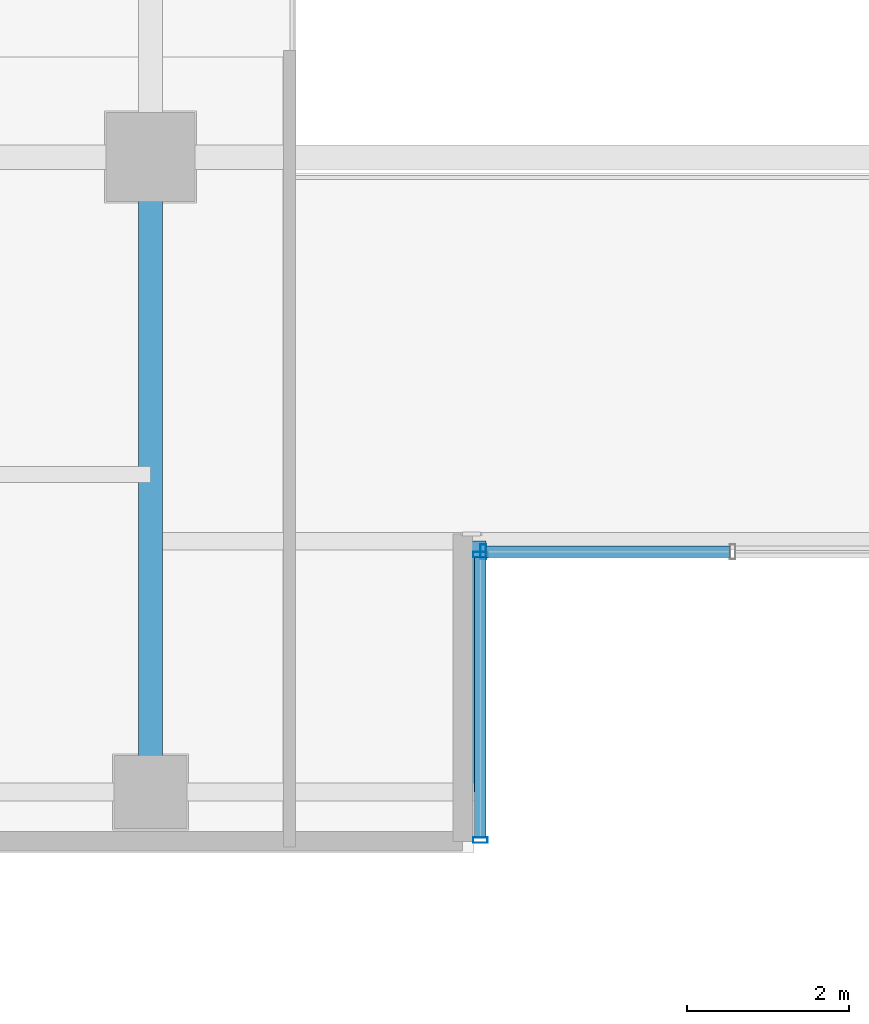
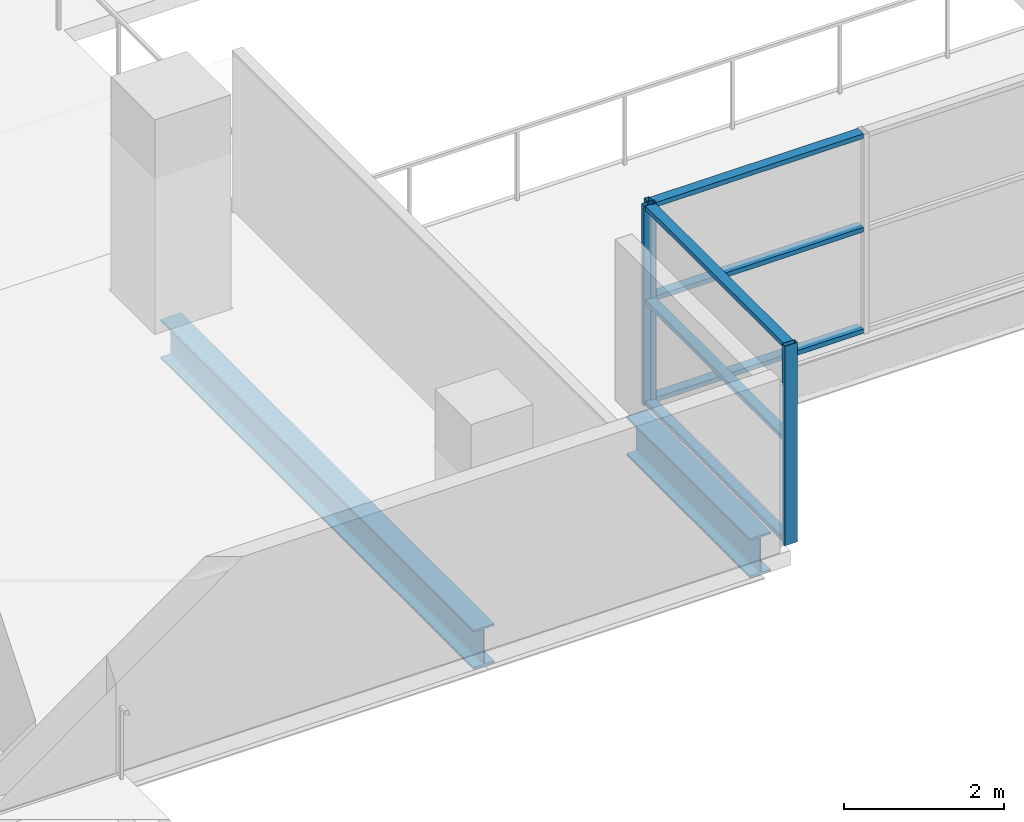
# One storey, part 6 of 30: 9 members, 2 beams, 2 elements without a shape of their own.
"""IFC4 building model written with IfcOpenShell, lengths in metres."""

from ifc_helpers import new_model, si_unit, direction, frame, origin, origin_2d, place, context, subcontext, project, spatial, hollow_rectangle, i_section, extrude, source, transform, mapped, material, layer, layer_set, material_profile, profile_set, type_object, element, aggregate, save


model = new_model("IFC4")

# Units and contexts
model_context = context("Model", 3, precision=1e-05, world=origin(), true_north=direction((0.0, 1.0)))
body_context = subcontext(model_context, "Body", "Model", "MODEL_VIEW")
ifc_project = project(units=[si_unit("LENGTHUNIT", "METRE"), si_unit("AREAUNIT", "SQUARE_METRE"), si_unit("VOLUMEUNIT", "CUBIC_METRE"), si_unit("PLANEANGLEUNIT", "RADIAN"), si_unit("MASSUNIT", "GRAM", prefix="KILO")], contexts=[model_context])

# Site, building, storey
site_placement = place(None, origin())
site = spatial("IfcSite", under=ifc_project, at=site_placement, CompositionType="ELEMENT")
building_placement = place(site_placement, origin())
building = spatial("IfcBuilding", under=site, at=building_placement, Name="Zarnakvel Exchange Tower", CompositionType="ELEMENT")
storey_placement = place(building_placement, frame((0.0, 0.0, 50.5)))
storey = spatial("IfcBuildingStorey", under=building, at=storey_placement, Name="L13", CompositionType="ELEMENT", Elevation=50.5)

# Beams
ifc_material_1 = material(Name="Steel S355", Category="steel")
ifc_material_profile_1 = material_profile(ifc_material_1, i_section(OverallWidth=0.300048828125, OverallDepth=0.60009765625, WebThickness=0.015380859375, FlangeThickness=0.030029296875, FilletRadius=0.027099609375, at=origin_2d()))
ifc_profile_set_1 = profile_set([ifc_material_profile_1], Name="Steel S355")
beam_type = type_object("IfcBeamType", Name="G-04", PredefinedType="BEAM", material=ifc_profile_set_1)
beam_1_placement = place(storey_placement, frame((-3.199951171875, -17.449951171875, -0.52490234375), z_axis=(0.0, 1.0, 0.0), x_axis=(-1.0, 0.0, 0.0)))
element("IfcBeam", 1, at=beam_1_placement, inside=storey, type_object=beam_type, Name="L13 South Slot West Cheek Beam", PredefinedType="BEAM", context=body_context, shape_type="SweptSolid", body=[
    extrude(i_section(OverallWidth=0.300048828125, OverallDepth=0.60009765625, WebThickness=0.015380859375, FlangeThickness=0.030029296875, FilletRadius=0.027099609375, at=origin_2d()), origin(), (0.0, 0.0, 1.0), 3.099853515625),
])
beam_2_placement = place(storey_placement, frame((-7.199951171875, -17.449951171875, -0.52490234375), z_axis=(0.0, 1.0, 0.0), x_axis=(-1.0, 0.0, 0.0)))
element("IfcBeam", 2, at=beam_2_placement, inside=storey, type_object=beam_type, Name="L13 Tower N-S Frame Beam", PredefinedType="BEAM", context=body_context, shape_type="SweptSolid", body=[
    extrude(i_section(OverallWidth=0.300048828125, OverallDepth=0.60009765625, WebThickness=0.015380859375, FlangeThickness=0.030029296875, FilletRadius=0.027099609375, at=origin_2d()), origin(), (0.0, 0.0, 1.0), 7.849853515625),
])

# Curtain wall, members
ifc_material_2 = material(Name="Architectural Bronze Anodised Aluminium", Category="aluminium")
ifc_layer = layer(ifc_material_2, 0.179931640625)
ifc_layer_set = layer_set([ifc_layer], Name="Architectural Bronze Anodised Aluminium")
curtain_wall_type = type_object("IfcCurtainWallType", Name="CW-05", PredefinedType="NOTDEFINED", material=ifc_layer_set)
curtain_wall_1_placement = place(storey_placement, origin())
curtain_wall_1 = element("IfcCurtainWall", 3, at=curtain_wall_1_placement, inside=storey, type_object=curtain_wall_type, Name="L13 Curtain Wall CW-L13-SLW (CW-05)", PredefinedType="NOTDEFINED")
ifc_material_profile_2 = material_profile(ifc_material_2, hollow_rectangle(XDim=0.139892578125, YDim=0.070068359375, WallThickness=0.00390625, at=origin_2d()))
ifc_profile_set_2 = profile_set([ifc_material_profile_2], Name="Architectural Bronze Anodised Aluminium")
member_type_1 = type_object("IfcMemberType", Name="CWT-05", PredefinedType="USERDEFINED", material=ifc_profile_set_2)
shared_shape_1 = source(origin(), body_context, "Body", "SweptSolid", [
    extrude(hollow_rectangle(XDim=0.139892578125, YDim=0.070068359375, WallThickness=0.00390625, at=origin_2d()), origin(), (0.0, 0.0, 1.0), 3.4599609375),
])
member_1_placement = place(storey_placement, frame((-3.1201171875, -18.010009765625, 0.034912109375), z_axis=(0.0, 1.0, 0.0), x_axis=(-1.0, 0.0, 0.0)))
member_1 = element("IfcMember", 4, at=member_1_placement, type_object=member_type_1, Name="CW-05 transom 1.1", ObjectType="TRANSOM", PredefinedType="USERDEFINED", context=body_context, shape_type="MappedRepresentation", body=[
    mapped(shared_shape_1, transform((0.0, 0.0, 0.0), x_axis=(1.0, 0.0, 0.0), y_axis=(0.0, 1.0, 0.0), z_axis=(0.0, 0.0, 1.0), scale=1.0)),
])
member_2_placement = place(storey_placement, frame((-3.1201171875, -18.010009765625, 1.588623046875), z_axis=(0.0, 1.0, 0.0), x_axis=(-1.0, 0.0, 0.0)))
member_2 = element("IfcMember", 5, at=member_2_placement, type_object=member_type_1, Name="CW-05 transom 1.2", ObjectType="TRANSOM", PredefinedType="USERDEFINED", context=body_context, shape_type="MappedRepresentation", body=[
    mapped(shared_shape_1, transform((0.0, 0.0, 0.0), x_axis=(1.0, 0.0, 0.0), y_axis=(0.0, 1.0, 0.0), z_axis=(0.0, 0.0, 1.0), scale=1.0)),
])
member_3_placement = place(storey_placement, frame((-3.1201171875, -18.010009765625, 3.02001953125), z_axis=(0.0, 1.0, 0.0), x_axis=(-1.0, 0.0, 0.0)))
member_3 = element("IfcMember", 6, at=member_3_placement, type_object=member_type_1, Name="CW-05 transom 1.3", ObjectType="TRANSOM", PredefinedType="USERDEFINED", context=body_context, shape_type="MappedRepresentation", body=[
    mapped(shared_shape_1, transform((0.0, 0.0, 0.0), x_axis=(1.0, 0.0, 0.0), y_axis=(0.0, 1.0, 0.0), z_axis=(0.0, 0.0, 1.0), scale=1.0)),
])

curtain_wall_2_placement = place(storey_placement, origin())
curtain_wall_2 = element("IfcCurtainWall", 7, at=curtain_wall_2_placement, inside=storey, type_object=curtain_wall_type, Name="L13 Curtain Wall CW-L13-SLB (CW-05)", PredefinedType="NOTDEFINED")
shared_shape_2 = source(origin(), body_context, "Body", "SweptSolid", [
    extrude(hollow_rectangle(XDim=0.139892578125, YDim=0.070068359375, WallThickness=0.00390625, at=origin_2d()), origin(), (0.0, 0.0, 1.0), 3.01513671875),
])
member_4_placement = place(storey_placement, frame((-3.050048828125, -14.47998046875, 0.034912109375), z_axis=(1.0, 0.0, 0.0), x_axis=(0.0, 1.0, 0.0)))
member_4 = element("IfcMember", 8, at=member_4_placement, type_object=member_type_1, Name="CW-05 transom 1.1", ObjectType="TRANSOM", PredefinedType="USERDEFINED", context=body_context, shape_type="MappedRepresentation", body=[
    mapped(shared_shape_2, transform((0.0, 0.0, 0.0), x_axis=(1.0, 0.0, 0.0), y_axis=(0.0, 1.0, 0.0), z_axis=(0.0, 0.0, 1.0), scale=1.0)),
])
member_5_placement = place(storey_placement, frame((-3.050048828125, -14.47998046875, 1.588623046875), z_axis=(1.0, 0.0, 0.0), x_axis=(0.0, 1.0, 0.0)))
member_5 = element("IfcMember", 9, at=member_5_placement, type_object=member_type_1, Name="CW-05 transom 1.2", ObjectType="TRANSOM", PredefinedType="USERDEFINED", context=body_context, shape_type="MappedRepresentation", body=[
    mapped(shared_shape_2, transform((0.0, 0.0, 0.0), x_axis=(1.0, 0.0, 0.0), y_axis=(0.0, 1.0, 0.0), z_axis=(0.0, 0.0, 1.0), scale=1.0)),
])
member_6_placement = place(storey_placement, frame((-3.050048828125, -14.47998046875, 3.02001953125), z_axis=(1.0, 0.0, 0.0), x_axis=(0.0, 1.0, 0.0)))
member_6 = element("IfcMember", 10, at=member_6_placement, type_object=member_type_1, Name="CW-05 transom 1.3", ObjectType="TRANSOM", PredefinedType="USERDEFINED", context=body_context, shape_type="MappedRepresentation", body=[
    mapped(shared_shape_2, transform((0.0, 0.0, 0.0), x_axis=(1.0, 0.0, 0.0), y_axis=(0.0, 1.0, 0.0), z_axis=(0.0, 0.0, 1.0), scale=1.0)),
])

# Member
ifc_material_profile_3 = material_profile(ifc_material_2, hollow_rectangle(XDim=0.179931640625, YDim=0.070068359375, WallThickness=0.00390625, at=origin_2d()))
ifc_profile_set_3 = profile_set([ifc_material_profile_3], Name="Architectural Bronze Anodised Aluminium")
member_type_2 = type_object("IfcMemberType", Name="CWM-05", PredefinedType="MULLION", material=ifc_profile_set_3)
shared_shape_3 = source(origin(), body_context, "Body", "SweptSolid", [
    extrude(hollow_rectangle(XDim=0.179931640625, YDim=0.070068359375, WallThickness=0.00390625, at=origin_2d()), origin(), (0.0, 0.0, 1.0), 3.054931640625),
])
member_7_placement = place(storey_placement, frame((-3.1201171875, -18.044921875, 0.0), z_axis=(0.0, 0.0, 1.0), x_axis=(-1.0, 0.0, 0.0)))
member_7 = element("IfcMember", 11, at=member_7_placement, type_object=member_type_2, Name="CW-05 mullion 1", PredefinedType="MULLION", context=body_context, shape_type="MappedRepresentation", body=[
    mapped(shared_shape_3, transform((0.0, 0.0, 0.0), x_axis=(1.0, 0.0, 0.0), y_axis=(0.0, 1.0, 0.0), z_axis=(0.0, 0.0, 1.0), scale=1.0)),
])

member_8_placement = place(storey_placement, frame((-3.1201171875, -14.514892578125, 0.0), z_axis=(0.0, 0.0, 1.0), x_axis=(-1.0, 0.0, 0.0)))
member_8 = element("IfcMember", 12, at=member_8_placement, type_object=member_type_2, Name="CW-05 mullion 2", PredefinedType="MULLION", context=body_context, shape_type="MappedRepresentation", body=[
    mapped(shared_shape_3, transform((0.0, 0.0, 0.0), x_axis=(1.0, 0.0, 0.0), y_axis=(0.0, 1.0, 0.0), z_axis=(0.0, 0.0, 1.0), scale=1.0)),
])

aggregate(curtain_wall_1, [member_7, member_8, member_1, member_2, member_3])

member_9_placement = place(storey_placement, frame((-3.0849609375, -14.47998046875, 0.0), z_axis=(0.0, 0.0, 1.0), x_axis=(0.0, 1.0, 0.0)))
member_9 = element("IfcMember", 13, at=member_9_placement, type_object=member_type_2, Name="CW-05 mullion 1", PredefinedType="MULLION", context=body_context, shape_type="MappedRepresentation", body=[
    mapped(shared_shape_3, transform((0.0, 0.0, 0.0), x_axis=(1.0, 0.0, 0.0), y_axis=(0.0, 1.0, 0.0), z_axis=(0.0, 0.0, 1.0), scale=1.0)),
])

aggregate(curtain_wall_2, [member_9, member_4, member_5, member_6])

save(model, "model.ifc")
